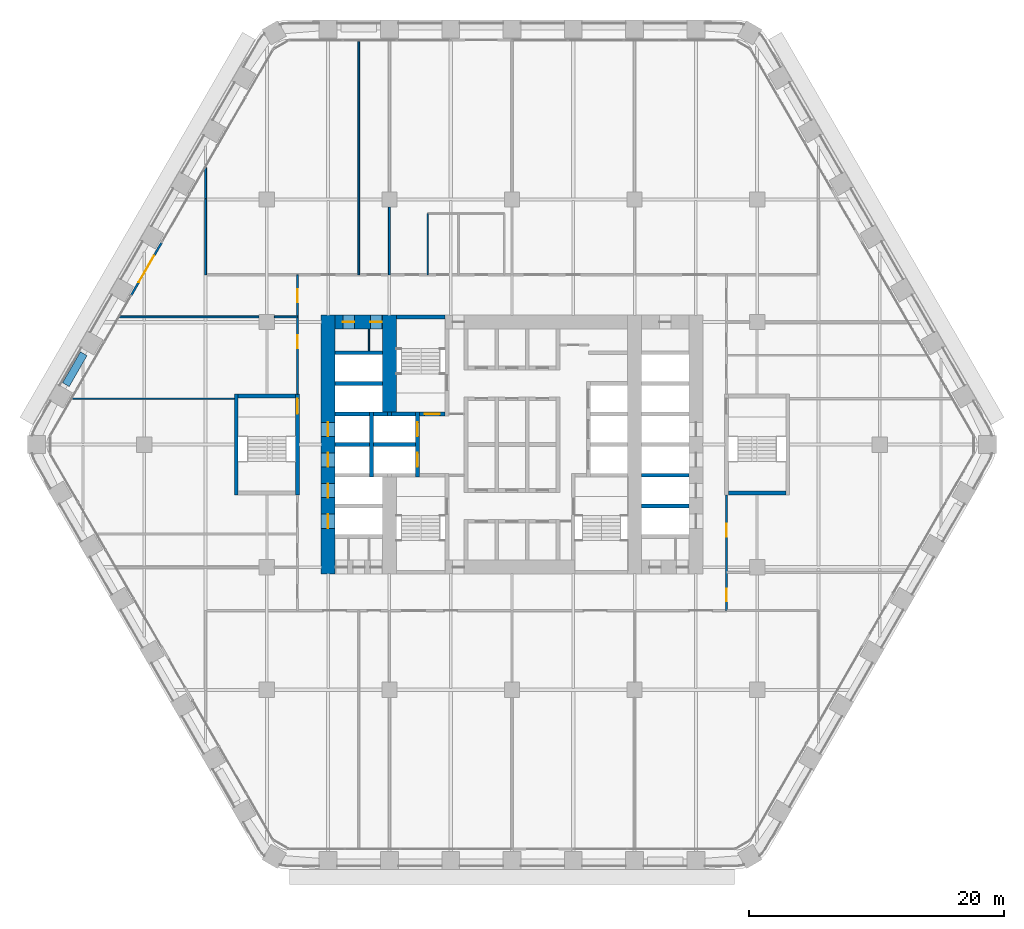
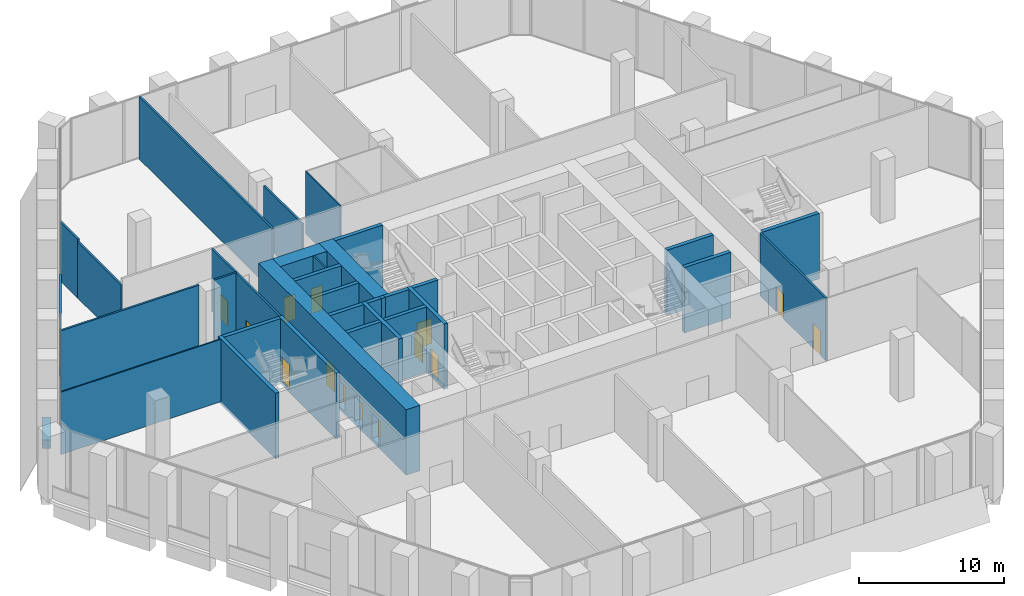
# One storey, part 19 of 27: 34 walls, 15 doors, 15 openings.
"""IFC4 building model written with IfcOpenShell, lengths in metres."""

from ifc_helpers import new_model, si_unit, direction, frame, frame_2d, origin, place, context, subcontext, project, spatial, rectangle, extrude, material, layer, layer_set, type_object, element, fill, save


model = new_model("IFC4")

# Units and contexts
model_context = context("Model", 3, precision=1e-05, world=origin(), true_north=direction((0.0, 1.0)))
body_context = subcontext(model_context, "Body", "Model", "MODEL_VIEW")
ifc_project = project(units=[si_unit("LENGTHUNIT", "METRE"), si_unit("AREAUNIT", "SQUARE_METRE"), si_unit("VOLUMEUNIT", "CUBIC_METRE"), si_unit("PLANEANGLEUNIT", "RADIAN"), si_unit("MASSUNIT", "GRAM", prefix="KILO")], contexts=[model_context])

# Site, building, storey
site_placement = place(None, origin())
site = spatial("IfcSite", under=ifc_project, at=site_placement, CompositionType="ELEMENT")
building_placement = place(site_placement, origin())
building = spatial("IfcBuilding", under=site, at=building_placement, Name="Kolab Exchange Tower", CompositionType="ELEMENT")
storey_placement = place(building_placement, frame((0.0, 0.0, 44.39990234375)))
storey = spatial("IfcBuildingStorey", under=building, at=storey_placement, Name="L08", CompositionType="ELEMENT", Elevation=44.39990234375)

# Wall, openings, doors
ifc_material_1 = material(Name="Concrete C80/95", Category="concrete")
ifc_layer_1 = layer(ifc_material_1, 1.10009765625)
ifc_layer_set_1 = layer_set([ifc_layer_1], Name="Concrete C80/95")
wall_type_1 = type_object("IfcWallType", Name="CORE WALL 1100 C80/95", PredefinedType="SHEAR", material=ifc_layer_set_1)
wall_1_placement = place(storey_placement, frame((-13.85009765625, 9.60009765625, -0.25), z_axis=(0.0, 0.0, 1.0), x_axis=(1.0, 0.0, 0.0)))
wall_1 = element("IfcWall", 1, at=wall_1_placement, inside=storey, type_object=wall_type_1, Name="wall/L08/core/051", PredefinedType="SHEAR", context=body_context, shape_type="SweptSolid", body=[
    extrude(rectangle(XDim=3.7001953125, YDim=1.10009765625, at=frame_2d((1.85009765625, 0.0))), origin(), (0.0, 0.0, 1.0), 5.5),
])
opening_1_placement = place(wall_1_placement, frame((0.60009765625, 0.0, 0.25)))
opening_1 = element("IfcOpeningElement", 2, at=opening_1_placement, cuts=wall_1, Name="Opening D6-108", PredefinedType="OPENING", context=body_context, shape_type="SweptSolid", body=[
    extrude(rectangle(XDim=0.89990234375, YDim=2.10009765625, at=frame_2d((0.449951171875, 1.050048828125))), frame((0.0, 0.56005859375, 0.0), z_axis=(0.0, -1.0, 0.0), x_axis=(1.0, 0.0, 0.0)), (0.0, 0.0, 1.0), 1.1201171875),
])
opening_2_placement = place(wall_1_placement, frame((2.75, 0.0, 0.25)))
opening_2 = element("IfcOpeningElement", 3, at=opening_2_placement, cuts=wall_1, Name="Opening D6-109", PredefinedType="OPENING", context=body_context, shape_type="SweptSolid", body=[
    extrude(rectangle(XDim=0.89990234375, YDim=2.10009765625, at=frame_2d((0.449951171875, 1.050048828125))), frame((0.0, 0.56005859375, 0.0), z_axis=(0.0, -1.0, 0.0), x_axis=(1.0, 0.0, 0.0)), (0.0, 0.0, 1.0), 1.1201171875),
])
ifc_material_2 = material(Name="Steel S235", Category="steel")
door_type_1 = type_object("IfcDoorType", Name="CORE DOOR 900 EI 120", OperationType="SINGLE_SWING_LEFT", PredefinedType="DOOR", material=ifc_material_2)
door_1_placement = place(opening_1_placement, frame((0.89990234375, 0.0, 0.0), z_axis=(0.0, 0.0, 1.0), x_axis=(-1.0, 0.0, 0.0)))
door_1 = element("IfcDoor", 4, at=door_1_placement, inside=storey, type_object=door_type_1, Name="Service room door", OperationType="SINGLE_SWING_RIGHT", OverallHeight=2.10009765625, OverallWidth=0.89990234375, PredefinedType="DOOR", context=body_context, shape_type="SweptSolid", body=[
    extrude(rectangle(XDim=0.89990234375, YDim=2.10009765625, at=frame_2d((0.449951171875, 1.050048828125))), frame((0.0, 0.02490234375, 0.0), z_axis=(0.0, -1.0, 0.0), x_axis=(1.0, 0.0, 0.0)), (0.0, 0.0, 1.0), 0.050048828125),
])
fill(opening_1, door_1)
door_2_placement = place(opening_2_placement, frame((0.89990234375, 0.0, 0.0), z_axis=(0.0, 0.0, 1.0), x_axis=(-1.0, 0.0, 0.0)))
door_2 = element("IfcDoor", 5, at=door_2_placement, inside=storey, type_object=door_type_1, Name="Service room door", OperationType="SINGLE_SWING_LEFT", OverallHeight=2.10009765625, OverallWidth=0.89990234375, PredefinedType="DOOR", context=body_context, shape_type="SweptSolid", body=[
    extrude(rectangle(XDim=0.89990234375, YDim=2.10009765625, at=frame_2d((0.449951171875, 1.050048828125))), frame((0.0, 0.02490234375, 0.0), z_axis=(0.0, -1.0, 0.0), x_axis=(1.0, 0.0, 0.0)), (0.0, 0.0, 1.0), 0.050048828125),
])
fill(opening_2, door_2)

wall_2_placement = place(storey_placement, frame((-14.39990234375, -10.14990234375, -0.25), z_axis=(0.0, 0.0, 1.0), x_axis=(0.0, 1.0, 0.0)))
wall_2 = element("IfcWall", 6, at=wall_2_placement, inside=storey, type_object=wall_type_1, Name="wall/L08/core/057", PredefinedType="SHEAR", context=body_context, shape_type="SweptSolid", body=[
    extrude(rectangle(XDim=20.2998046875, YDim=1.10009765625, at=frame_2d((10.14990234375, 0.0))), origin(), (0.0, 0.0, 1.0), 5.5),
])
opening_3_placement = place(wall_2_placement, frame((3.60009765625, 0.0, 0.25)))
opening_3 = element("IfcOpeningElement", 7, at=opening_3_placement, cuts=wall_2, Name="Opening LD1-041", PredefinedType="OPENING", context=body_context, shape_type="SweptSolid", body=[
    extrude(rectangle(XDim=1.10009765625, YDim=2.10009765625, at=frame_2d((0.550048828125, 1.050048828125))), frame((0.0, 0.56005859375, 0.0), z_axis=(0.0, -1.0, 0.0), x_axis=(1.0, 0.0, 0.0)), (0.0, 0.0, 1.0), 1.1201171875),
])
opening_4_placement = place(wall_2_placement, frame((6.0, 0.0, 0.25)))
opening_4 = element("IfcOpeningElement", 8, at=opening_4_placement, cuts=wall_2, Name="Opening LD1-042", PredefinedType="OPENING", context=body_context, shape_type="SweptSolid", body=[
    extrude(rectangle(XDim=1.10009765625, YDim=2.10009765625, at=frame_2d((0.550048828125, 1.050048828125))), frame((0.0, 0.56005859375, 0.0), z_axis=(0.0, -1.0, 0.0), x_axis=(1.0, 0.0, 0.0)), (0.0, 0.0, 1.0), 1.1201171875),
])
opening_5_placement = place(wall_2_placement, frame((8.39990234375, 0.0, 0.25)))
opening_5 = element("IfcOpeningElement", 9, at=opening_5_placement, cuts=wall_2, Name="Opening LD1-043", PredefinedType="OPENING", context=body_context, shape_type="SweptSolid", body=[
    extrude(rectangle(XDim=1.10009765625, YDim=2.10009765625, at=frame_2d((0.550048828125, 1.050048828125))), frame((0.0, 0.56005859375, 0.0), z_axis=(0.0, -1.0, 0.0), x_axis=(1.0, 0.0, 0.0)), (0.0, 0.0, 1.0), 1.1201171875),
])
opening_6_placement = place(wall_2_placement, frame((10.800048828125, 0.0, 0.25)))
opening_6 = element("IfcOpeningElement", 10, at=opening_6_placement, cuts=wall_2, Name="Opening LD1-044", PredefinedType="OPENING", context=body_context, shape_type="SweptSolid", body=[
    extrude(rectangle(XDim=1.10009765625, YDim=2.10009765625, at=frame_2d((0.550048828125, 1.050048828125))), frame((0.0, 0.56005859375, 0.0), z_axis=(0.0, -1.0, 0.0), x_axis=(1.0, 0.0, 0.0)), (0.0, 0.0, 1.0), 1.1201171875),
])
ifc_material_3 = material(Name="Stainless steel 316", Category="steel")
door_type_2 = type_object("IfcDoorType", Name="LANDING DOOR 1100 PASSENGER", OperationType="DOUBLE_DOOR_SLIDING", PredefinedType="DOOR", material=ifc_material_3)
door_3_placement = place(opening_3_placement, origin())
door_3 = element("IfcDoor", 11, at=door_3_placement, inside=storey, type_object=door_type_2, Name="Landing door LR5", OperationType="DOUBLE_DOOR_SLIDING", OverallHeight=2.10009765625, OverallWidth=1.10009765625, PredefinedType="DOOR", context=body_context, shape_type="SweptSolid", body=[
    extrude(rectangle(XDim=1.10009765625, YDim=2.10009765625, at=frame_2d((0.550048828125, 1.050048828125))), frame((0.0, 0.02490234375, 0.0), z_axis=(0.0, -1.0, 0.0), x_axis=(1.0, 0.0, 0.0)), (0.0, 0.0, 1.0), 0.050048828125),
])
fill(opening_3, door_3)
door_4_placement = place(opening_4_placement, origin())
door_4 = element("IfcDoor", 12, at=door_4_placement, inside=storey, type_object=door_type_2, Name="Landing door LR6", OperationType="DOUBLE_DOOR_SLIDING", OverallHeight=2.10009765625, OverallWidth=1.10009765625, PredefinedType="DOOR", context=body_context, shape_type="SweptSolid", body=[
    extrude(rectangle(XDim=1.10009765625, YDim=2.10009765625, at=frame_2d((0.550048828125, 1.050048828125))), frame((0.0, 0.02490234375, 0.0), z_axis=(0.0, -1.0, 0.0), x_axis=(1.0, 0.0, 0.0)), (0.0, 0.0, 1.0), 0.050048828125),
])
fill(opening_4, door_4)
door_5_placement = place(opening_5_placement, origin())
door_5 = element("IfcDoor", 13, at=door_5_placement, inside=storey, type_object=door_type_2, Name="Landing door LR7", OperationType="DOUBLE_DOOR_SLIDING", OverallHeight=2.10009765625, OverallWidth=1.10009765625, PredefinedType="DOOR", context=body_context, shape_type="SweptSolid", body=[
    extrude(rectangle(XDim=1.10009765625, YDim=2.10009765625, at=frame_2d((0.550048828125, 1.050048828125))), frame((0.0, 0.02490234375, 0.0), z_axis=(0.0, -1.0, 0.0), x_axis=(1.0, 0.0, 0.0)), (0.0, 0.0, 1.0), 0.050048828125),
])
fill(opening_5, door_5)
door_6_placement = place(opening_6_placement, origin())
door_6 = element("IfcDoor", 14, at=door_6_placement, inside=storey, type_object=door_type_2, Name="Landing door LR8", OperationType="DOUBLE_DOOR_SLIDING", OverallHeight=2.10009765625, OverallWidth=1.10009765625, PredefinedType="DOOR", context=body_context, shape_type="SweptSolid", body=[
    extrude(rectangle(XDim=1.10009765625, YDim=2.10009765625, at=frame_2d((0.550048828125, 1.050048828125))), frame((0.0, 0.02490234375, 0.0), z_axis=(0.0, -1.0, 0.0), x_axis=(1.0, 0.0, 0.0)), (0.0, 0.0, 1.0), 0.050048828125),
])
fill(opening_6, door_6)

# Wall
wall_3_placement = place(storey_placement, frame((-9.60009765625, 2.550048828125, -0.25), z_axis=(0.0, 0.0, 1.0), x_axis=(0.0, 1.0, 0.0)))
element("IfcWall", 15, at=wall_3_placement, inside=storey, type_object=wall_type_1, Name="wall/L08/core/062", PredefinedType="SHEAR", context=body_context, shape_type="SweptSolid", body=[
    extrude(rectangle(XDim=7.599853515625, YDim=1.10009765625, at=frame_2d((3.7998046875, 0.0))), origin(), (0.0, 0.0, 1.0), 5.5),
])

# Wall, opening, door
ifc_material_4 = material(Name="Aluminium EN AW-6063 T6", Category="aluminium")
ifc_layer_2 = layer(ifc_material_4, 0.159912109375)
ifc_layer_set_2 = layer_set([ifc_layer_2], Name="Aluminium EN AW-6063 T6")
wall_type_2 = type_object("IfcWallType", Name="DOOR SURROUND WALL 160 ALUMINIUM FRAMED", PredefinedType="PARTITIONING", material=ifc_layer_set_2)
wall_4_placement = place(storey_placement, frame((-29.816650390625, 11.706787109375, 0.0), z_axis=(0.0, 0.0, 1.0), x_axis=(0.499978080042, 0.866038058908, 0.0)))
wall_4 = element("IfcWall", 16, at=wall_4_placement, inside=storey, type_object=wall_type_2, Name="Door surround wall", PredefinedType="PARTITIONING", context=body_context, shape_type="SweptSolid", body=[
    extrude(rectangle(XDim=4.739990234375, YDim=0.159912109375, at=frame_2d((2.3701171875, 0.0))), origin(), (0.0, 0.0, 1.0), 5.25),
])
opening_7_placement = place(wall_4_placement, frame((1.169921875, 0.0, 0.0)))
opening_7 = element("IfcOpeningElement", 17, at=opening_7_placement, cuts=wall_4, Name="Opening GD1-022", PredefinedType="OPENING", context=body_context, shape_type="SweptSolid", body=[
    extrude(rectangle(XDim=2.39990234375, YDim=2.39990234375, at=frame_2d((1.199951171875, 1.199951171875))), frame((0.0, 0.08984375, 0.0), z_axis=(0.0, -1.0, 0.0), x_axis=(1.0, 0.0, 0.0)), (0.0, 0.0, 1.0), 0.179931640625),
])
door_type_3 = type_object("IfcDoorType", Name="LOGGIA SLIDING GLASS DOOR 2400 X 2400", OperationType="DOUBLE_DOOR_SINGLE_SWING", PredefinedType="DOOR", material=ifc_material_4)
door_7_placement = place(opening_7_placement, origin())
door_7 = element("IfcDoor", 18, at=door_7_placement, inside=storey, type_object=door_type_3, Name="Loggia door", OperationType="DOUBLE_DOOR_SLIDING", OverallHeight=2.39990234375, OverallWidth=2.39990234375, PredefinedType="DOOR", context=body_context, shape_type="SweptSolid", body=[
    extrude(rectangle(XDim=2.39990234375, YDim=2.39990234375, at=frame_2d((1.199951171875, 1.199951171875))), frame((0.0, 0.02490234375, 0.0), z_axis=(0.0, -1.0, 0.0), x_axis=(1.0, 0.0, 0.0)), (0.0, 0.0, 1.0), 0.050048828125),
])
fill(opening_7, door_7)

# Walls
ifc_material_5 = material(Name="Concrete C50/60", Category="concrete")
ifc_layer_3 = layer(ifc_material_5, 0.300048828125)
ifc_layer_set_3 = layer_set([ifc_layer_3], Name="Concrete C50/60")
wall_type_3 = type_object("IfcWallType", Name="LIFT SHAFT WALL 300 C50/60", PredefinedType="STANDARD", material=ifc_layer_set_3)
for number, where, z_axis, x_axis, name in (
    (19, (10.14990234375, -4.800048828125, -0.25), (0.0, 0.0, 1.0), (1.0, 0.0, 0.0), "wall/L08/core/011"),
    (20, (10.14990234375, -2.39990234375, -0.25), (0.0, 0.0, 1.0), (1.0, 0.0, 0.0), "wall/L08/core/023"),
):
    element("IfcWall", number, at=place(storey_placement, frame(where, z_axis=z_axis, x_axis=x_axis)), inside=storey, type_object=wall_type_3, Name=name, PredefinedType="STANDARD", context=body_context, shape_type="SweptSolid", body=[
        extrude(rectangle(XDim=3.7001953125, YDim=0.300048828125, at=frame_2d((1.85009765625, 0.0))), origin(), (0.0, 0.0, 1.0), 5.5),
    ])
wall_5_placement = place(storey_placement, frame((-13.85009765625, 0.0, -0.25), z_axis=(0.0, 0.0, 1.0), x_axis=(1.0, 0.0, 0.0)))
element("IfcWall", 21, at=wall_5_placement, inside=storey, type_object=wall_type_3, Name="wall/L08/core/024", PredefinedType="STANDARD", context=body_context, shape_type="SweptSolid", body=[
    extrude(rectangle(XDim=2.7001953125, YDim=0.300048828125, at=frame_2d((1.35009765625, 0.0))), origin(), (0.0, 0.0, 1.0), 5.5),
])
wall_6_placement = place(storey_placement, frame((-10.85009765625, 0.0, -0.25), z_axis=(0.0, 0.0, 1.0), x_axis=(1.0, 0.0, 0.0)))
element("IfcWall", 22, at=wall_6_placement, inside=storey, type_object=wall_type_3, Name="wall/L08/core/025", PredefinedType="STANDARD", context=body_context, shape_type="SweptSolid", body=[
    extrude(rectangle(XDim=3.300048828125, YDim=0.300048828125, at=frame_2d((1.64990234375, 0.0))), origin(), (0.0, 0.0, 1.0), 5.5),
])
wall_7_placement = place(storey_placement, frame((-13.85009765625, 2.39990234375, -0.25), z_axis=(0.0, 0.0, 1.0), x_axis=(1.0, 0.0, 0.0)))
element("IfcWall", 23, at=wall_7_placement, inside=storey, type_object=wall_type_3, Name="wall/L08/core/031", PredefinedType="STANDARD", context=body_context, shape_type="SweptSolid", body=[
    extrude(rectangle(XDim=2.7001953125, YDim=0.300048828125, at=frame_2d((1.35009765625, 0.0))), origin(), (0.0, 0.0, 1.0), 5.5),
])
wall_8_placement = place(storey_placement, frame((-10.85009765625, 2.39990234375, -0.25), z_axis=(0.0, 0.0, 1.0), x_axis=(1.0, 0.0, 0.0)))
element("IfcWall", 24, at=wall_8_placement, inside=storey, type_object=wall_type_3, Name="wall/L08/core/032", PredefinedType="STANDARD", context=body_context, shape_type="SweptSolid", body=[
    extrude(rectangle(XDim=1.10009765625, YDim=0.300048828125, at=frame_2d((0.550048828125, 0.0))), origin(), (0.0, 0.0, 1.0), 5.5),
])
for number, where, z_axis, x_axis, name in (
    (25, (-13.85009765625, 4.800048828125, -0.25), (0.0, 0.0, 1.0), (1.0, 0.0, 0.0), "wall/L08/core/042"),
    (26, (-13.85009765625, 7.199951171875, -0.25), (0.0, 0.0, 1.0), (1.0, 0.0, 0.0), "wall/L08/core/048"),
):
    element("IfcWall", number, at=place(storey_placement, frame(where, z_axis=z_axis, x_axis=x_axis)), inside=storey, type_object=wall_type_3, Name=name, PredefinedType="STANDARD", context=body_context, shape_type="SweptSolid", body=[
        extrude(rectangle(XDim=3.7001953125, YDim=0.300048828125, at=frame_2d((1.85009765625, 0.0))), origin(), (0.0, 0.0, 1.0), 5.5),
    ])
wall_9_placement = place(storey_placement, frame((-11.0, -2.550048828125, -0.25), z_axis=(0.0, 0.0, 1.0), x_axis=(0.0, 1.0, 0.0)))
element("IfcWall", 27, at=wall_9_placement, inside=storey, type_object=wall_type_3, Name="wall/L08/core/058", PredefinedType="STANDARD", context=body_context, shape_type="SweptSolid", body=[
    extrude(rectangle(XDim=5.10009765625, YDim=0.300048828125, at=frame_2d((2.550048828125, 0.0))), origin(), (0.0, 0.0, 1.0), 5.5),
])

# Wall, openings, doors
wall_10_placement = place(storey_placement, frame((-7.39990234375, -2.550048828125, -0.25), z_axis=(0.0, 0.0, 1.0), x_axis=(0.0, 1.0, 0.0)))
wall_10 = element("IfcWall", 28, at=wall_10_placement, inside=storey, type_object=wall_type_3, Name="wall/L08/core/063", PredefinedType="STANDARD", context=body_context, shape_type="SweptSolid", body=[
    extrude(rectangle(XDim=5.10009765625, YDim=0.300048828125, at=frame_2d((2.550048828125, 0.0))), origin(), (0.0, 0.0, 1.0), 5.5),
])
opening_8_placement = place(wall_10_placement, frame((0.800048828125, 0.0, 0.25)))
opening_8 = element("IfcOpeningElement", 29, at=opening_8_placement, cuts=wall_10, Name="Opening LD2-009", PredefinedType="OPENING", context=body_context, shape_type="SweptSolid", body=[
    extrude(rectangle(XDim=1.10009765625, YDim=2.10009765625, at=frame_2d((0.550048828125, 1.050048828125))), frame((0.0, 0.16015625, 0.0), z_axis=(0.0, -1.0, 0.0), x_axis=(1.0, 0.0, 0.0)), (0.0, 0.0, 1.0), 0.320068359375),
])
opening_9_placement = place(wall_10_placement, frame((3.199951171875, 0.0, 0.25)))
opening_9 = element("IfcOpeningElement", 30, at=opening_9_placement, cuts=wall_10, Name="Opening LD2-010", PredefinedType="OPENING", context=body_context, shape_type="SweptSolid", body=[
    extrude(rectangle(XDim=1.10009765625, YDim=2.10009765625, at=frame_2d((0.550048828125, 1.050048828125))), frame((0.0, 0.16015625, 0.0), z_axis=(0.0, -1.0, 0.0), x_axis=(1.0, 0.0, 0.0)), (0.0, 0.0, 1.0), 0.320068359375),
])
door_type_4 = type_object("IfcDoorType", Name="LANDING DOOR 1100 FIREFIGHTING", OperationType="DOUBLE_DOOR_SLIDING", PredefinedType="DOOR", material=ifc_material_3)
door_8_placement = place(opening_8_placement, origin())
door_8 = element("IfcDoor", 31, at=door_8_placement, inside=storey, type_object=door_type_4, Name="Landing door FF1", OperationType="DOUBLE_DOOR_SLIDING", OverallHeight=2.10009765625, OverallWidth=1.10009765625, PredefinedType="DOOR", context=body_context, shape_type="SweptSolid", body=[
    extrude(rectangle(XDim=1.10009765625, YDim=2.10009765625, at=frame_2d((0.550048828125, 1.050048828125))), frame((0.0, 0.02490234375, 0.0), z_axis=(0.0, -1.0, 0.0), x_axis=(1.0, 0.0, 0.0)), (0.0, 0.0, 1.0), 0.050048828125),
])
fill(opening_8, door_8)
door_9_placement = place(opening_9_placement, origin())
door_9 = element("IfcDoor", 32, at=door_9_placement, inside=storey, type_object=door_type_4, Name="Landing door FF2", OperationType="DOUBLE_DOOR_SLIDING", OverallHeight=2.10009765625, OverallWidth=1.10009765625, PredefinedType="DOOR", context=body_context, shape_type="SweptSolid", body=[
    extrude(rectangle(XDim=1.10009765625, YDim=2.10009765625, at=frame_2d((0.550048828125, 1.050048828125))), frame((0.0, 0.02490234375, 0.0), z_axis=(0.0, -1.0, 0.0), x_axis=(1.0, 0.0, 0.0)), (0.0, 0.0, 1.0), 0.050048828125),
])
fill(opening_9, door_9)

# Walls
ifc_material_6 = material(Name="Gypsum board", Category="gypsum")
ifc_layer_4 = layer(ifc_material_6, 0.10009765625)
ifc_layer_set_4 = layer_set([ifc_layer_4], Name="Gypsum board")
wall_type_4 = type_object("IfcWallType", Name="PARTITION 100", PredefinedType="PARTITIONING", material=ifc_layer_set_4)
wall_11_placement = place(storey_placement, frame((-6.60009765625, 13.300048828125, 0.0), z_axis=(0.0, 0.0, 1.0), x_axis=(0.0, 1.0, 0.0)))
element("IfcWall", 33, at=wall_11_placement, inside=storey, type_object=wall_type_4, Name="Partition 015", PredefinedType="PARTITIONING", context=body_context, shape_type="SweptSolid", body=[
    extrude(rectangle(XDim=4.800048828125, YDim=0.10009765625, at=frame_2d((2.39990234375, 0.0))), origin(), (0.0, 0.0, 1.0), 5.25),
])
wall_12_placement = place(storey_placement, frame((-11.199951171875, 7.35009765625, 0.0), z_axis=(0.0, 0.0, 1.0), x_axis=(0.0, 1.0, 0.0)))
element("IfcWall", 34, at=wall_12_placement, inside=storey, type_object=wall_type_4, Name="Partition 021", PredefinedType="PARTITIONING", context=body_context, shape_type="SweptSolid", body=[
    extrude(rectangle(XDim=1.699951171875, YDim=0.10009765625, at=frame_2d((0.85009765625, 0.0))), origin(), (0.0, 0.0, 1.0), 5.25),
])
wall_13_placement = place(storey_placement, frame((-34.450927734375, 3.60009765625, 0.0), z_axis=(0.0, 0.0, 1.0), x_axis=(1.0, 0.0, 0.0)))
element("IfcWall", 35, at=wall_13_placement, inside=storey, type_object=wall_type_4, Name="Partition 037", PredefinedType="PARTITIONING", context=body_context, shape_type="SweptSolid", body=[
    extrude(rectangle(XDim=12.700927734375, YDim=0.10009765625, at=frame_2d((6.3505859375, 0.0))), origin(), (0.0, 0.0, 1.0), 5.25),
])

# Wall, openings, doors
ifc_layer_5 = layer(ifc_material_6, 0.14990234375)
ifc_layer_set_5 = layer_set([ifc_layer_5], Name="Gypsum board")
wall_type_5 = type_object("IfcWallType", Name="PARTITION 150 FIRE-RATED", PredefinedType="PARTITIONING", material=ifc_layer_set_5)
wall_14_placement = place(storey_placement, frame((16.800048828125, -13.0, 0.0), z_axis=(0.0, 0.0, 1.0), x_axis=(0.0, 1.0, 0.0)))
wall_14 = element("IfcWall", 36, at=wall_14_placement, inside=storey, type_object=wall_type_5, Name="Partition 002", PredefinedType="PARTITIONING", context=body_context, shape_type="SweptSolid", body=[
    extrude(rectangle(XDim=9.050048828125, YDim=0.14990234375, at=frame_2d((4.52490234375, 0.0))), origin(), (0.0, 0.0, 1.0), 5.25),
])
opening_10_placement = place(wall_14_placement, frame((0.72509765625, 0.0, 0.0)))
opening_10 = element("IfcOpeningElement", 37, at=opening_10_placement, cuts=wall_14, Name="Opening D1-115", PredefinedType="OPENING", context=body_context, shape_type="SweptSolid", body=[
    extrude(rectangle(XDim=1.0, YDim=2.10009765625, at=frame_2d((0.5, 1.050048828125))), frame((0.0, 0.0849609375, 0.0), z_axis=(0.0, -1.0, 0.0), x_axis=(1.0, 0.0, 0.0)), (0.0, 0.0, 1.0), 0.169921875),
])
opening_11_placement = place(wall_14_placement, frame((5.800048828125, 0.0, 0.0)))
opening_11 = element("IfcOpeningElement", 38, at=opening_11_placement, cuts=wall_14, Name="Opening D1-116", PredefinedType="OPENING", context=body_context, shape_type="SweptSolid", body=[
    extrude(rectangle(XDim=1.0, YDim=2.10009765625, at=frame_2d((0.5, 1.050048828125))), frame((0.0, 0.0849609375, 0.0), z_axis=(0.0, -1.0, 0.0), x_axis=(1.0, 0.0, 0.0)), (0.0, 0.0, 1.0), 0.169921875),
])
door_type_5 = type_object("IfcDoorType", Name="FLUSH DOOR 1000 FD60", OperationType="SINGLE_SWING_LEFT", PredefinedType="DOOR", material=ifc_material_2)
door_10_placement = place(opening_10_placement, frame((1.0, 0.0, 0.0), z_axis=(0.0, 0.0, 1.0), x_axis=(-1.0, 0.0, 0.0)))
door_10 = element("IfcDoor", 39, at=door_10_placement, inside=storey, type_object=door_type_5, Name="Door L08-059", OperationType="SINGLE_SWING_LEFT", OverallHeight=2.10009765625, OverallWidth=1.0, PredefinedType="DOOR", context=body_context, shape_type="SweptSolid", body=[
    extrude(rectangle(XDim=1.0, YDim=2.10009765625, at=frame_2d((0.5, 1.050048828125))), frame((0.0, 0.02490234375, 0.0), z_axis=(0.0, -1.0, 0.0), x_axis=(1.0, 0.0, 0.0)), (0.0, 0.0, 1.0), 0.050048828125),
])
fill(opening_10, door_10)
door_11_placement = place(opening_11_placement, frame((1.0, 0.0, 0.0), z_axis=(0.0, 0.0, 1.0), x_axis=(-1.0, 0.0, 0.0)))
door_11 = element("IfcDoor", 40, at=door_11_placement, inside=storey, type_object=door_type_5, Name="Door L08-060", OperationType="SINGLE_SWING_RIGHT", OverallHeight=2.10009765625, OverallWidth=1.0, PredefinedType="DOOR", context=body_context, shape_type="SweptSolid", body=[
    extrude(rectangle(XDim=1.0, YDim=2.10009765625, at=frame_2d((0.5, 1.050048828125))), frame((0.0, 0.02490234375, 0.0), z_axis=(0.0, -1.0, 0.0), x_axis=(1.0, 0.0, 0.0)), (0.0, 0.0, 1.0), 0.050048828125),
])
fill(opening_11, door_11)

# Walls
wall_15_placement = place(storey_placement, frame((-9.60009765625, 13.300048828125, 0.0), z_axis=(0.0, 0.0, 1.0), x_axis=(0.0, 1.0, 0.0)))
element("IfcWall", 41, at=wall_15_placement, inside=storey, type_object=wall_type_5, Name="Partition 018", PredefinedType="PARTITIONING", context=body_context, shape_type="SweptSolid", body=[
    extrude(rectangle(XDim=5.300048828125, YDim=0.14990234375, at=frame_2d((2.64990234375, 0.0))), origin(), (0.0, 0.0, 1.0), 4.793212890625),
])
wall_16_placement = place(storey_placement, frame((-12.0, 13.300048828125, 0.0), z_axis=(0.0, 0.0, 1.0), x_axis=(0.0, 1.0, 0.0)))
element("IfcWall", 42, at=wall_16_placement, inside=storey, type_object=wall_type_5, Name="Partition 023", PredefinedType="PARTITIONING", context=body_context, shape_type="SweptSolid", body=[
    extrude(rectangle(XDim=18.285400390625, YDim=0.14990234375, at=frame_2d((9.142578125, 0.0))), origin(), (0.0, 0.0, 1.0), 5.25),
])

# Wall, openings, doors
wall_17_placement = place(storey_placement, frame((-16.800048828125, 3.949951171875, 0.0), z_axis=(0.0, 0.0, 1.0), x_axis=(0.0, 1.0, 0.0)))
wall_17 = element("IfcWall", 43, at=wall_17_placement, inside=storey, type_object=wall_type_5, Name="Partition 026", PredefinedType="PARTITIONING", context=body_context, shape_type="SweptSolid", body=[
    extrude(rectangle(XDim=9.35009765625, YDim=0.14990234375, at=frame_2d((4.675048828125, 0.0))), origin(), (0.0, 0.0, 1.0), 5.25),
])
opening_12_placement = place(wall_17_placement, frame((3.614990234375, 0.0, 0.0)))
opening_12 = element("IfcOpeningElement", 44, at=opening_12_placement, cuts=wall_17, Name="Opening D1-122", PredefinedType="OPENING", context=body_context, shape_type="SweptSolid", body=[
    extrude(rectangle(XDim=1.0, YDim=2.10009765625, at=frame_2d((0.5, 1.050048828125))), frame((0.0, 0.0849609375, 0.0), z_axis=(0.0, -1.0, 0.0), x_axis=(1.0, 0.0, 0.0)), (0.0, 0.0, 1.0), 0.169921875),
])
opening_13_placement = place(wall_17_placement, frame((7.199951171875, 0.0, 0.0)))
opening_13 = element("IfcOpeningElement", 45, at=opening_13_placement, cuts=wall_17, Name="Opening D1-123", PredefinedType="OPENING", context=body_context, shape_type="SweptSolid", body=[
    extrude(rectangle(XDim=1.0, YDim=2.10009765625, at=frame_2d((0.5, 1.050048828125))), frame((0.0, 0.0849609375, 0.0), z_axis=(0.0, -1.0, 0.0), x_axis=(1.0, 0.0, 0.0)), (0.0, 0.0, 1.0), 0.169921875),
])
door_12_placement = place(opening_12_placement, origin())
door_12 = element("IfcDoor", 46, at=door_12_placement, inside=storey, type_object=door_type_5, Name="Door L08-067", OperationType="SINGLE_SWING_RIGHT", OverallHeight=2.10009765625, OverallWidth=1.0, PredefinedType="DOOR", context=body_context, shape_type="SweptSolid", body=[
    extrude(rectangle(XDim=1.0, YDim=2.10009765625, at=frame_2d((0.5, 1.050048828125))), frame((0.0, 0.02490234375, 0.0), z_axis=(0.0, -1.0, 0.0), x_axis=(1.0, 0.0, 0.0)), (0.0, 0.0, 1.0), 0.050048828125),
])
fill(opening_12, door_12)
door_13_placement = place(opening_13_placement, origin())
door_13 = element("IfcDoor", 47, at=door_13_placement, inside=storey, type_object=door_type_5, Name="Door L08-068", OperationType="SINGLE_SWING_LEFT", OverallHeight=2.10009765625, OverallWidth=1.0, PredefinedType="DOOR", context=body_context, shape_type="SweptSolid", body=[
    extrude(rectangle(XDim=1.0, YDim=2.10009765625, at=frame_2d((0.5, 1.050048828125))), frame((0.0, 0.02490234375, 0.0), z_axis=(0.0, -1.0, 0.0), x_axis=(1.0, 0.0, 0.0)), (0.0, 0.0, 1.0), 0.050048828125),
])
fill(opening_13, door_13)

# Walls
wall_18_placement = place(storey_placement, frame((-24.0, 13.300048828125, 0.0), z_axis=(0.0, 0.0, 1.0), x_axis=(0.0, 1.0, 0.0)))
element("IfcWall", 48, at=wall_18_placement, inside=storey, type_object=wall_type_5, Name="Partition 028", PredefinedType="PARTITIONING", context=body_context, shape_type="SweptSolid", body=[
    extrude(rectangle(XDim=5.973876953125, YDim=0.14990234375, at=frame_2d((2.98681640625, 0.0))), origin(), (0.0, 0.0, 1.0), 4.717041015625),
])
wall_19_placement = place(storey_placement, frame((-24.0, 19.27392578125, 0.0), z_axis=(0.0, 0.0, 1.0), x_axis=(0.0, 1.0, 0.0)))
element("IfcWall", 49, at=wall_19_placement, inside=storey, type_object=wall_type_5, Name="Partition 028", PredefinedType="PARTITIONING", context=body_context, shape_type="SweptSolid", body=[
    extrude(rectangle(XDim=2.427490234375, YDim=0.14990234375, at=frame_2d((1.2138671875, 0.0))), origin(), (0.0, 0.0, 1.0), 4.940185546875),
])
wall_20_placement = place(storey_placement, frame((-30.755859375, 10.0, 0.0), z_axis=(0.0, 0.0, 1.0), x_axis=(1.0, 0.0, 0.0)))
element("IfcWall", 50, at=wall_20_placement, inside=storey, type_object=wall_type_5, Name="Partition 043", PredefinedType="PARTITIONING", context=body_context, shape_type="SweptSolid", body=[
    extrude(rectangle(XDim=10.955810546875, YDim=0.14990234375, at=frame_2d((5.47802734375, 0.0))), origin(), (0.0, 0.0, 1.0), 5.25),
])
wall_21_placement = place(storey_placement, frame((-18.60009765625, 10.0, 0.0), z_axis=(0.0, 0.0, 1.0), x_axis=(1.0, 0.0, 0.0)))
element("IfcWall", 51, at=wall_21_placement, inside=storey, type_object=wall_type_5, Name="Partition 044", PredefinedType="PARTITIONING", context=body_context, shape_type="SweptSolid", body=[
    extrude(rectangle(XDim=1.800048828125, YDim=0.14990234375, at=frame_2d((0.89990234375, 0.0))), origin(), (0.0, 0.0, 1.0), 5.25),
])
ifc_material_7 = material(Name="Granite facing", Category="masonry")
ifc_layer_6 = layer(ifc_material_7, 0.0400390625)
ifc_material_8 = material(Name="Concrete C40/50 precast", Category="concrete")
ifc_layer_7 = layer(ifc_material_8, 0.56005859375)
ifc_layer_set_6 = layer_set([ifc_layer_6, ifc_layer_7], Name="Concrete C40/50 precast")
wall_type_6 = type_object("IfcWallType", Name="PLANTER BOX 600 X 700 SOIL DEPTH 550", PredefinedType="USERDEFINED", material=ifc_layer_set_6)
wall_22_placement = place(storey_placement, frame((-34.93701171875, 4.697998046875, 0.0), z_axis=(0.0, 0.0, 1.0), x_axis=(0.49998411664, 0.866034573852, 0.0)))
element("IfcWall", 52, at=wall_22_placement, inside=storey, type_object=wall_type_6, Name="Planter", ObjectType="PLANTER", PredefinedType="USERDEFINED", context=body_context, shape_type="SweptSolid", body=[
    extrude(rectangle(XDim=2.7998046875, YDim=0.60009765625, at=frame_2d((1.39990234375, 0.0))), origin(), (0.0, 0.0, 1.0), 0.7001953125),
])
ifc_layer_8 = layer(ifc_material_5, 0.300048828125)
ifc_layer_set_7 = layer_set([ifc_layer_8], Name="Concrete C50/60")
wall_type_7 = type_object("IfcWallType", Name="STAIR ENCLOSURE WALL 300 C50/60", PredefinedType="STANDARD", material=ifc_layer_set_7)
wall_23_placement = place(storey_placement, frame((16.949951171875, -3.800048828125, -0.25), z_axis=(0.0, 0.0, 1.0), x_axis=(1.0, 0.0, 0.0)))
element("IfcWall", 53, at=wall_23_placement, inside=storey, type_object=wall_type_7, Name="wall/L08/core/013", PredefinedType="STANDARD", context=body_context, shape_type="SweptSolid", body=[
    extrude(rectangle(XDim=4.5, YDim=0.300048828125, at=frame_2d((2.25, 0.0))), origin(), (0.0, 0.0, 1.0), 5.5),
])
wall_24_placement = place(storey_placement, frame((-9.449951171875, 2.39990234375, -0.25), z_axis=(0.0, 0.0, 1.0), x_axis=(1.0, 0.0, 0.0)))
element("IfcWall", 54, at=wall_24_placement, inside=storey, type_object=wall_type_7, Name="wall/L08/core/033", PredefinedType="STANDARD", context=body_context, shape_type="SweptSolid", body=[
    extrude(rectangle(XDim=1.89990234375, YDim=0.300048828125, at=frame_2d((0.949951171875, 0.0))), origin(), (0.0, 0.0, 1.0), 5.5),
])

# Wall, opening, door
wall_25_placement = place(storey_placement, frame((-7.25, 2.39990234375, -0.25), z_axis=(0.0, 0.0, 1.0), x_axis=(1.0, 0.0, 0.0)))
wall_25 = element("IfcWall", 55, at=wall_25_placement, inside=storey, type_object=wall_type_7, Name="wall/L08/core/034", PredefinedType="STANDARD", context=body_context, shape_type="SweptSolid", body=[
    extrude(rectangle(XDim=2.0, YDim=0.300048828125, at=frame_2d((1.0, 0.0))), origin(), (0.0, 0.0, 1.0), 5.5),
])
opening_14_placement = place(wall_25_placement, frame((0.39990234375, 0.0, 0.25)))
opening_14 = element("IfcOpeningElement", 56, at=opening_14_placement, cuts=wall_25, Name="Opening D4-019", PredefinedType="OPENING", context=body_context, shape_type="SweptSolid", body=[
    extrude(rectangle(XDim=1.199951171875, YDim=2.10009765625, at=frame_2d((0.60009765625, 1.050048828125))), frame((0.0, 0.16015625, 0.0), z_axis=(0.0, -1.0, 0.0), x_axis=(1.0, 0.0, 0.0)), (0.0, 0.0, 1.0), 0.320068359375),
])
door_type_6 = type_object("IfcDoorType", Name="STAIR DOOR 1200 EI 120", OperationType="SINGLE_SWING_LEFT", PredefinedType="DOOR", material=ifc_material_2)
door_14_placement = place(opening_14_placement, origin())
door_14 = element("IfcDoor", 57, at=door_14_placement, inside=storey, type_object=door_type_6, Name="Stair 1 door", OperationType="SINGLE_SWING_RIGHT", OverallHeight=2.10009765625, OverallWidth=1.199951171875, PredefinedType="DOOR", context=body_context, shape_type="SweptSolid", body=[
    extrude(rectangle(XDim=1.199951171875, YDim=2.10009765625, at=frame_2d((0.60009765625, 1.050048828125))), frame((0.0, 0.02490234375, 0.0), z_axis=(0.0, -1.0, 0.0), x_axis=(1.0, 0.0, 0.0)), (0.0, 0.0, 1.0), 0.050048828125),
])
fill(opening_14, door_14)

# Walls
wall_26_placement = place(storey_placement, frame((-21.449951171875, 3.800048828125, -0.25), z_axis=(0.0, 0.0, 1.0), x_axis=(1.0, 0.0, 0.0)))
element("IfcWall", 58, at=wall_26_placement, inside=storey, type_object=wall_type_7, Name="wall/L08/core/040", PredefinedType="STANDARD", context=body_context, shape_type="SweptSolid", body=[
    extrude(rectangle(XDim=4.5, YDim=0.300048828125, at=frame_2d((2.25, 0.0))), origin(), (0.0, 0.0, 1.0), 5.5),
])
wall_27_placement = place(storey_placement, frame((-9.050048828125, 10.0, -0.25), z_axis=(0.0, 0.0, 1.0), x_axis=(1.0, 0.0, 0.0)))
element("IfcWall", 59, at=wall_27_placement, inside=storey, type_object=wall_type_7, Name="wall/L08/core/054", PredefinedType="STANDARD", context=body_context, shape_type="SweptSolid", body=[
    extrude(rectangle(XDim=3.800048828125, YDim=0.300048828125, at=frame_2d((1.89990234375, 0.0))), origin(), (0.0, 0.0, 1.0), 5.5),
])
wall_28_placement = place(storey_placement, frame((-21.60009765625, -3.949951171875, -0.25), z_axis=(0.0, 0.0, 1.0), x_axis=(0.0, 1.0, 0.0)))
element("IfcWall", 60, at=wall_28_placement, inside=storey, type_object=wall_type_7, Name="wall/L08/core/055", PredefinedType="STANDARD", context=body_context, shape_type="SweptSolid", body=[
    extrude(rectangle(XDim=7.89990234375, YDim=0.300048828125, at=frame_2d((3.949951171875, 0.0))), origin(), (0.0, 0.0, 1.0), 5.5),
])

# Wall, opening, door
wall_29_placement = place(storey_placement, frame((-16.800048828125, -3.949951171875, -0.25), z_axis=(0.0, 0.0, 1.0), x_axis=(0.0, 1.0, 0.0)))
wall_29 = element("IfcWall", 61, at=wall_29_placement, inside=storey, type_object=wall_type_7, Name="wall/L08/core/056", PredefinedType="STANDARD", context=body_context, shape_type="SweptSolid", body=[
    extrude(rectangle(XDim=7.89990234375, YDim=0.300048828125, at=frame_2d((3.949951171875, 0.0))), origin(), (0.0, 0.0, 1.0), 5.5),
])
opening_15_placement = place(wall_29_placement, frame((6.35009765625, 0.0, 0.25)))
opening_15 = element("IfcOpeningElement", 62, at=opening_15_placement, cuts=wall_29, Name="Opening D4-024", PredefinedType="OPENING", context=body_context, shape_type="SweptSolid", body=[
    extrude(rectangle(XDim=1.199951171875, YDim=2.10009765625, at=frame_2d((0.60009765625, 1.050048828125))), frame((0.0, 0.16015625, 0.0), z_axis=(0.0, -1.0, 0.0), x_axis=(1.0, 0.0, 0.0)), (0.0, 0.0, 1.0), 0.320068359375),
])
door_15_placement = place(opening_15_placement, origin())
door_15 = element("IfcDoor", 63, at=door_15_placement, inside=storey, type_object=door_type_6, Name="Stair 5 door", OperationType="SINGLE_SWING_RIGHT", OverallHeight=2.10009765625, OverallWidth=1.199951171875, PredefinedType="DOOR", context=body_context, shape_type="SweptSolid", body=[
    extrude(rectangle(XDim=1.199951171875, YDim=2.10009765625, at=frame_2d((0.60009765625, 1.050048828125))), frame((0.0, 0.02490234375, 0.0), z_axis=(0.0, -1.0, 0.0), x_axis=(1.0, 0.0, 0.0)), (0.0, 0.0, 1.0), 0.050048828125),
])
fill(opening_15, door_15)

# Wall
wall_30_placement = place(storey_placement, frame((-9.60009765625, 2.25, -0.25), z_axis=(0.0, 0.0, 1.0), x_axis=(0.0, 1.0, 0.0)))
element("IfcWall", 64, at=wall_30_placement, inside=storey, type_object=wall_type_7, Name="wall/L08/core/061", PredefinedType="STANDARD", context=body_context, shape_type="SweptSolid", body=[
    extrude(rectangle(XDim=0.300048828125, YDim=0.300048828125, at=frame_2d((0.14990234375, 0.0))), origin(), (0.0, 0.0, 1.0), 5.5),
])

save(model, "model.ifc")
